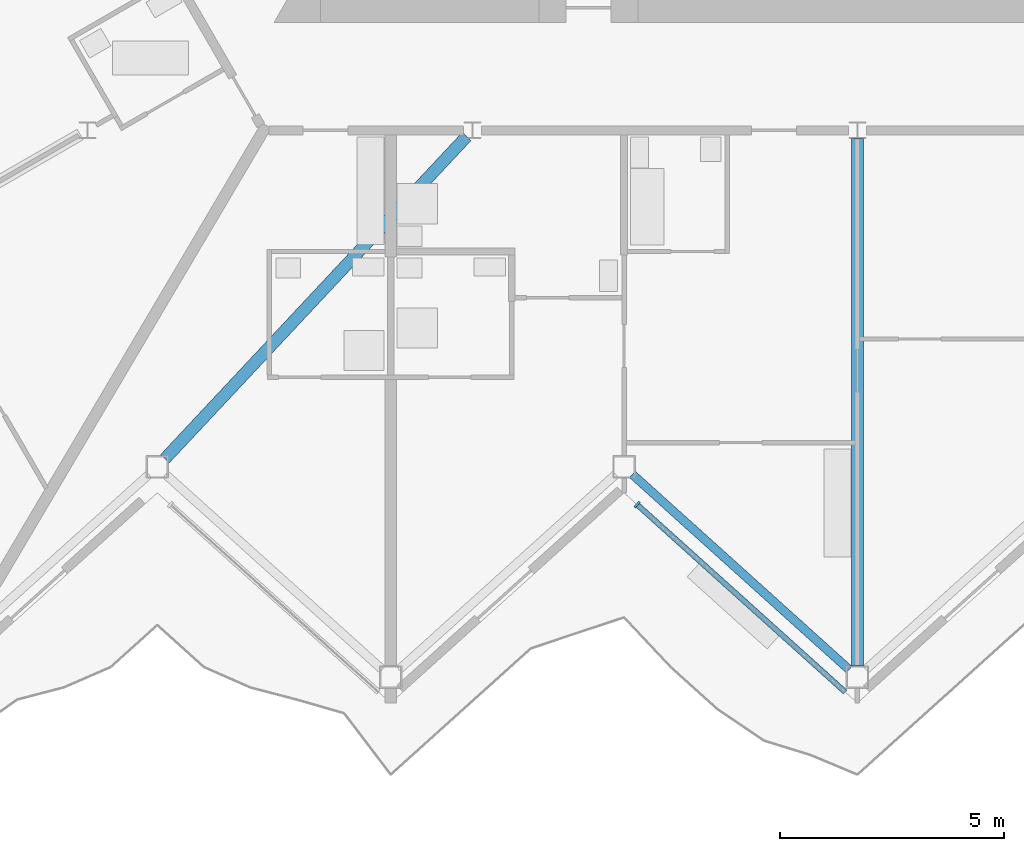
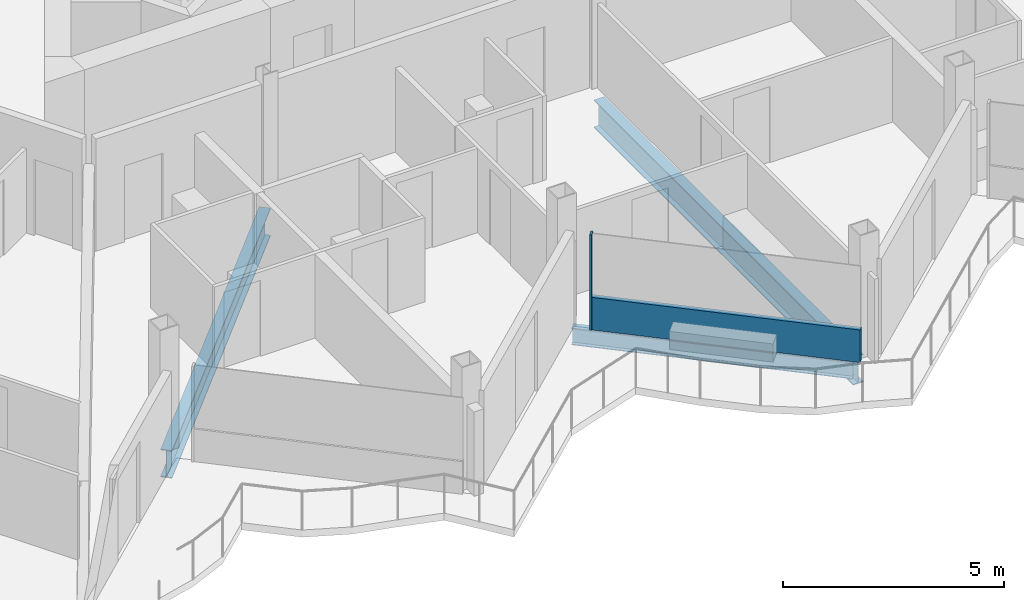
# One storey, part 5 of 26: 3 beams, 2 members, 1 element without a shape of its own.
"""IFC4 building model written with IfcOpenShell, lengths in metres."""

from ifc_helpers import new_model, si_unit, direction, frame, origin, origin_2d, place, context, subcontext, project, spatial, rectangle, i_section, extrude, material, layer, layer_set, material_profile, profile_set, type_object, element, aggregate, save


model = new_model("IFC4")

# Units and contexts
model_context = context("Model", 3, precision=1e-05, world=origin(), true_north=direction((0.0, 1.0)))
body_context = subcontext(model_context, "Body", "Model", "MODEL_VIEW")
ifc_project = project(units=[si_unit("LENGTHUNIT", "METRE"), si_unit("AREAUNIT", "SQUARE_METRE"), si_unit("VOLUMEUNIT", "CUBIC_METRE"), si_unit("PLANEANGLEUNIT", "RADIAN"), si_unit("MASSUNIT", "GRAM", prefix="KILO")], contexts=[model_context])

# Site, building, storey
site_placement = place(None, origin())
site = spatial("IfcSite", under=ifc_project, at=site_placement, CompositionType="ELEMENT")
building_placement = place(site_placement, origin())
building = spatial("IfcBuilding", under=site, at=building_placement, Name="Cormorant Prow Tower", CompositionType="ELEMENT")
storey_placement = place(building_placement, frame((0.0, 0.0, 374.60009765625)))
storey = spatial("IfcBuildingStorey", under=building, at=storey_placement, Name="L84", CompositionType="ELEMENT", Elevation=374.60009765625)

# Beams
ifc_material_1 = material(Name="Structural steel ASTM A992 Gr 50", Category="steel")
ifc_material_profile_1 = material_profile(ifc_material_1, i_section(OverallWidth=0.267822265625, OverallDepth=0.77001953125, WebThickness=0.015625, FlangeThickness=0.025390625, at=origin_2d()), Name="W30x132")
ifc_profile_set_1 = profile_set([ifc_material_profile_1], Name="Structural steel ASTM A992 Gr 50")
beam_type_1 = type_object("IfcBeamType", Name="Radial floor beam W30x132", PredefinedType="BEAM", material=ifc_profile_set_1)
beam_1_placement = place(storey_placement, frame((-8.706298828125, -10.0419921875, -0.68505859375), z_axis=(-0.683430760659, -0.730015339144, 0.0), x_axis=(0.730015339144, -0.683430760659, 0.0)))
element("IfcBeam", 1, at=beam_1_placement, inside=storey, type_object=beam_type_1, Name="Radial floor beam FB3 6 L84", PredefinedType="BEAM", context=body_context, shape_type="SweptSolid", body=[
    extrude(i_section(OverallWidth=0.267822265625, OverallDepth=0.77001953125, WebThickness=0.015625, FlangeThickness=0.025390625, at=origin_2d()), origin(), (0.0, 0.0, 1.0), 9.8369140625),
])
beam_2_placement = place(storey_placement, frame((0.0, -10.092529296875, -0.68505859375), z_axis=(0.0, -1.0, 0.0), x_axis=(1.0, 0.0, 0.0)))
element("IfcBeam", 2, at=beam_2_placement, inside=storey, type_object=beam_type_1, Name="Radial floor beam FB3 7 L84", PredefinedType="BEAM", context=body_context, shape_type="SweptSolid", body=[
    extrude(i_section(OverallWidth=0.267822265625, OverallDepth=0.77001953125, WebThickness=0.015625, FlangeThickness=0.025390625, at=origin_2d()), origin(), (0.0, 0.0, 1.0), 11.745361328125),
])

# Curtain wall, members
ifc_material_2 = material(Name="Aluminium 6063-T6", Category="aluminium")
ifc_layer = layer(ifc_material_2, 0.159912109375)
ifc_layer_set = layer_set([ifc_layer], Name="Aluminium 6063-T6")
curtain_wall_type = type_object("IfcCurtainWallType", Name="Residential unitised curtain wall 160", PredefinedType="NOTDEFINED", material=ifc_layer_set)
curtain_wall_placement = place(storey_placement, origin())
curtain_wall = element("IfcCurtainWall", 3, at=curtain_wall_placement, inside=storey, type_object=curtain_wall_type, Name="Residential curtain wall S04", PredefinedType="NOTDEFINED")
ifc_material_3 = material(Name="Aluminium 6063-T6", Category="aluminium")
ifc_material_profile_2 = material_profile(ifc_material_3, rectangle(XDim=0.159912109375, YDim=0.050048828125, at=origin_2d()), Name="Residential mullion 50x160")
ifc_profile_set_2 = profile_set([ifc_material_profile_2], Name="Aluminium 6063-T6")
member_type_1 = type_object("IfcMemberType", Name="Residential mullion 50x160", PredefinedType="MULLION", material=ifc_profile_set_2)
member_1_placement = place(storey_placement, frame((-4.909423828125, -18.2451171875, 0.0), z_axis=(0.0, 0.0, 1.0), x_axis=(0.669130603959, 0.743144827638, 0.0)))
member_1 = element("IfcMember", 4, at=member_1_placement, type_object=member_type_1, Name="Residential mullion S04", PredefinedType="MULLION", context=body_context, shape_type="SweptSolid", body=[
    extrude(rectangle(XDim=0.159912109375, YDim=0.050048828125, at=origin_2d()), origin(), (0.0, 0.0, 1.0), 2.6337890625),
])
ifc_material_4 = material(Name="Terracotta", Category="masonry")
ifc_material_profile_3 = material_profile(ifc_material_4, rectangle(XDim=0.1201171875, YDim=0.89990234375, at=origin_2d()), Name="Residential terracotta spandrel rail 120x900")
ifc_profile_set_3 = profile_set([ifc_material_profile_3], Name="Terracotta")
member_type_2 = type_object("IfcMemberType", Name="Residential terracotta spandrel rail 120x900", PredefinedType="USERDEFINED", material=ifc_profile_set_3)
member_2_placement = place(storey_placement, frame((-4.890869140625, -18.261962890625, 0.449951171875), z_axis=(0.743159360055, -0.669114463723, 0.0), x_axis=(0.669114463723, 0.743159360055, 0.0)))
member_2 = element("IfcMember", 5, at=member_2_placement, type_object=member_type_2, Name="Residential spandrel rail S04", ObjectType="TRANSOM", PredefinedType="USERDEFINED", context=body_context, shape_type="SweptSolid", body=[
    extrude(rectangle(XDim=0.1201171875, YDim=0.89990234375, at=origin_2d()), origin(), (0.0, 0.0, 1.0), 6.21533203125),
])
aggregate(curtain_wall, [member_1, member_2])

# Beam
ifc_material_5 = material(Name="Structural steel ASTM A992 Gr 50", Category="steel")
ifc_material_profile_4 = material_profile(ifc_material_5, i_section(OverallWidth=0.19287109375, OverallDepth=0.466064453125, WebThickness=0.011474609375, FlangeThickness=0.01904296875, at=origin_2d()), Name="W18x65")
ifc_profile_set_4 = profile_set([ifc_material_profile_4], Name="Structural steel ASTM A992 Gr 50")
beam_type_2 = type_object("IfcBeamType", Name="Spandrel beam W18x65", PredefinedType="SPANDREL", material=ifc_profile_set_4)
beam_3_placement = place(storey_placement, frame((-5.01416015625, -17.572998046875, -0.533203125), z_axis=(0.743131573737, -0.669145323614, 0.0), x_axis=(0.669145323614, 0.743131573737, 0.0)))
element("IfcBeam", 6, at=beam_3_placement, inside=storey, type_object=beam_type_2, Name="Spandrel beam SB4 S04-S05 L84", PredefinedType="SPANDREL", context=body_context, shape_type="SweptSolid", body=[
    extrude(i_section(OverallWidth=0.19287109375, OverallDepth=0.466064453125, WebThickness=0.011474609375, FlangeThickness=0.01904296875, at=origin_2d()), origin(), (0.0, 0.0, 1.0), 6.497314453125),
])

save(model, "model.ifc")
